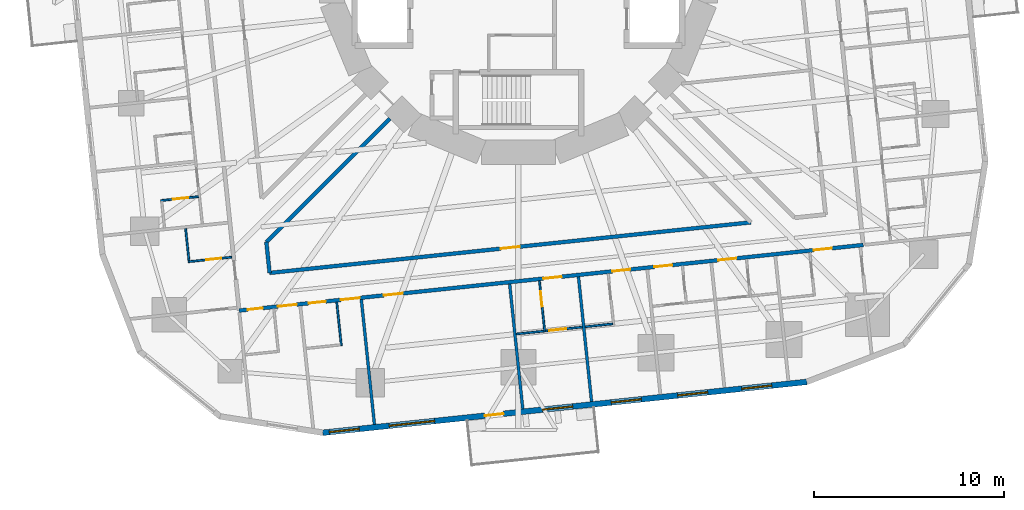
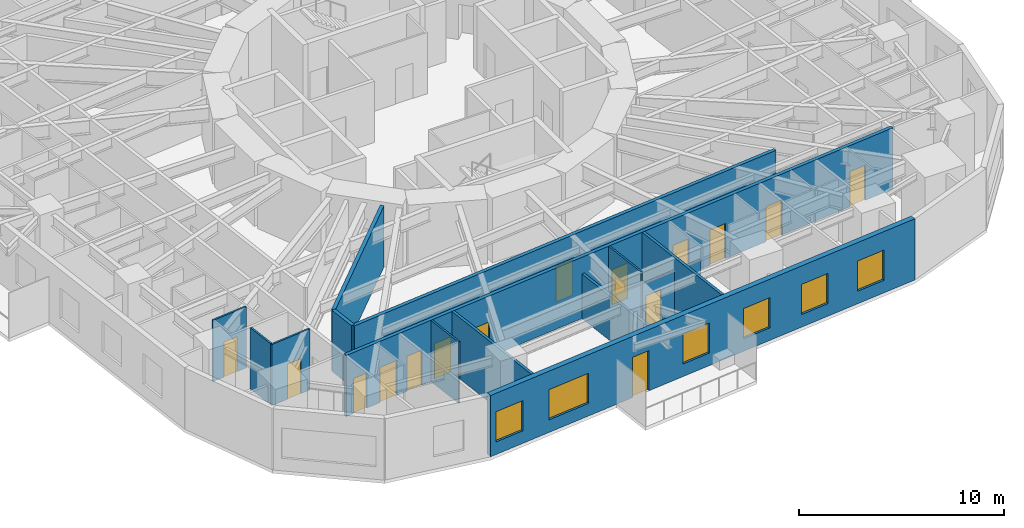
# One storey, part 5 of 15: 16 doors, 16 walls, 6 windows, 22 openings.
"""IFC4 building model written with IfcOpenShell, lengths in metres."""

from ifc_helpers import new_model, si_unit, direction, frame, frame_2d, origin, place, context, subcontext, project, spatial, rectangle, extrude, material, layer, layer_set, type_object, element, fill, save


model = new_model("IFC4")

# Units and contexts
model_context = context("Model", 3, precision=1e-05, world=origin(), true_north=direction((0.0, 1.0)))
body_context = subcontext(model_context, "Body", "Model", "MODEL_VIEW")
ifc_project = project(units=[si_unit("LENGTHUNIT", "METRE"), si_unit("AREAUNIT", "SQUARE_METRE"), si_unit("VOLUMEUNIT", "CUBIC_METRE"), si_unit("PLANEANGLEUNIT", "RADIAN"), si_unit("MASSUNIT", "GRAM", prefix="KILO")], contexts=[model_context])

# Site, building, storey
site_placement = place(None, origin())
site = spatial("IfcSite", under=ifc_project, at=site_placement, CompositionType="ELEMENT")
building_placement = place(site_placement, origin())
building = spatial("IfcBuilding", under=site, at=building_placement, Name="Nakasero Lantern House", CompositionType="ELEMENT")
storey_placement = place(building_placement, frame((0.0, 0.0, 64.35009765625)))
storey = spatial("IfcBuildingStorey", under=building, at=storey_placement, Name="L15", CompositionType="ELEMENT", Elevation=64.35009765625)

# Wall, openings, doors
ifc_material_1 = material(Name="Blockwork", Category="masonry")
ifc_layer_1 = layer(ifc_material_1, 0.199951171875)
ifc_layer_set_1 = layer_set([ifc_layer_1], Name="Corridor wall 200")
wall_type_1 = type_object("IfcWallType", Name="Corridor wall 200", PredefinedType="PARTITIONING", material=ifc_layer_set_1)
wall_1_placement = place(storey_placement, frame((-14.684814453125, -18.13427734375, 0.0), z_axis=(0.0, 0.0, 1.0), x_axis=(0.994521777723, 0.10452958258, 0.0)))
wall_1 = element("IfcWall", 1, at=wall_1_placement, inside=storey, type_object=wall_type_1, Name="Corridor wall L15 CW3", PredefinedType="PARTITIONING", context=body_context, shape_type="SweptSolid", body=[
    extrude(rectangle(XDim=32.999755859375, YDim=0.199951171875, at=frame_2d((16.5, 0.0))), origin(), (0.0, 0.0, 1.0), 3.64990234375),
])
opening_1_placement = place(wall_1_placement, frame((0.449951171875, 0.0, 0.0)))
opening_1 = element("IfcOpeningElement", 2, at=opening_1_placement, cuts=wall_1, Name="Opening D15", PredefinedType="OPENING", context=body_context, shape_type="SweptSolid", body=[
    extrude(rectangle(XDim=0.800048828125, YDim=2.10009765625, at=frame_2d((0.39990234375, 1.050048828125))), frame((0.0, 0.119873046875, 0.0), z_axis=(0.0, -1.0, 0.0), x_axis=(1.0, 0.0, 0.0)), (0.0, 0.0, 1.0), 0.239990234375),
])
opening_2_placement = place(wall_1_placement, frame((2.050048828125, 0.0, 0.0)))
opening_2 = element("IfcOpeningElement", 3, at=opening_2_placement, cuts=wall_1, Name="Opening D07", PredefinedType="OPENING", context=body_context, shape_type="SweptSolid", body=[
    extrude(rectangle(XDim=1.0, YDim=2.10009765625, at=frame_2d((0.5, 1.050048828125))), frame((0.0, 0.119873046875, 0.0), z_axis=(0.0, -1.0, 0.0), x_axis=(1.0, 0.0, 0.0)), (0.0, 0.0, 1.0), 0.239990234375),
])
opening_3_placement = place(wall_1_placement, frame((3.67529296875, 0.0, 0.0)))
opening_3 = element("IfcOpeningElement", 4, at=opening_3_placement, cuts=wall_1, Name="Opening D16", PredefinedType="OPENING", context=body_context, shape_type="SweptSolid", body=[
    extrude(rectangle(XDim=0.89990234375, YDim=2.10009765625, at=frame_2d((0.449951171875, 1.050048828125))), frame((0.0, 0.119873046875, 0.0), z_axis=(0.0, -1.0, 0.0), x_axis=(1.0, 0.0, 0.0)), (0.0, 0.0, 1.0), 0.239990234375),
])
opening_4_placement = place(wall_1_placement, frame((5.375244140625, 0.0, 0.0)))
opening_4 = element("IfcOpeningElement", 5, at=opening_4_placement, cuts=wall_1, Name="Opening D07", PredefinedType="OPENING", context=body_context, shape_type="SweptSolid", body=[
    extrude(rectangle(XDim=1.0, YDim=2.10009765625, at=frame_2d((0.5, 1.050048828125))), frame((0.0, 0.119873046875, 0.0), z_axis=(0.0, -1.0, 0.0), x_axis=(1.0, 0.0, 0.0)), (0.0, 0.0, 1.0), 0.239990234375),
])
opening_5_placement = place(wall_1_placement, frame((16.0927734375, 0.0, 0.0)))
opening_5 = element("IfcOpeningElement", 6, at=opening_5_placement, cuts=wall_1, Name="Opening D01", PredefinedType="OPENING", context=body_context, shape_type="SweptSolid", body=[
    extrude(rectangle(XDim=0.949951171875, YDim=2.10009765625, at=frame_2d((0.47509765625, 1.050048828125))), frame((0.0, 0.119873046875, 0.0), z_axis=(0.0, -1.0, 0.0), x_axis=(1.0, 0.0, 0.0)), (0.0, 0.0, 1.0), 0.239990234375),
])
opening_6_placement = place(wall_1_placement, frame((19.7314453125, 0.0, 0.0)))
opening_6 = element("IfcOpeningElement", 7, at=opening_6_placement, cuts=wall_1, Name="Opening D01", PredefinedType="OPENING", context=body_context, shape_type="SweptSolid", body=[
    extrude(rectangle(XDim=0.949951171875, YDim=2.10009765625, at=frame_2d((0.47509765625, 1.050048828125))), frame((0.0, 0.119873046875, 0.0), z_axis=(0.0, -1.0, 0.0), x_axis=(1.0, 0.0, 0.0)), (0.0, 0.0, 1.0), 0.239990234375),
])
opening_7_placement = place(wall_1_placement, frame((21.945068359375, 0.0, 0.0)))
opening_7 = element("IfcOpeningElement", 8, at=opening_7_placement, cuts=wall_1, Name="Opening D01", PredefinedType="OPENING", context=body_context, shape_type="SweptSolid", body=[
    extrude(rectangle(XDim=0.949951171875, YDim=2.10009765625, at=frame_2d((0.47509765625, 1.050048828125))), frame((0.0, 0.119873046875, 0.0), z_axis=(0.0, -1.0, 0.0), x_axis=(1.0, 0.0, 0.0)), (0.0, 0.0, 1.0), 0.239990234375),
])
opening_8_placement = place(wall_1_placement, frame((25.33056640625, 0.0, 0.0)))
opening_8 = element("IfcOpeningElement", 9, at=opening_8_placement, cuts=wall_1, Name="Opening D01", PredefinedType="OPENING", context=body_context, shape_type="SweptSolid", body=[
    extrude(rectangle(XDim=0.949951171875, YDim=2.10009765625, at=frame_2d((0.47509765625, 1.050048828125))), frame((0.0, 0.119873046875, 0.0), z_axis=(0.0, -1.0, 0.0), x_axis=(1.0, 0.0, 0.0)), (0.0, 0.0, 1.0), 0.239990234375),
])
opening_9_placement = place(wall_1_placement, frame((30.39111328125, 0.0, 0.0)))
opening_9 = element("IfcOpeningElement", 10, at=opening_9_placement, cuts=wall_1, Name="Opening D01", PredefinedType="OPENING", context=body_context, shape_type="SweptSolid", body=[
    extrude(rectangle(XDim=0.949951171875, YDim=2.10009765625, at=frame_2d((0.47509765625, 1.050048828125))), frame((0.0, 0.119873046875, 0.0), z_axis=(0.0, -1.0, 0.0), x_axis=(1.0, 0.0, 0.0)), (0.0, 0.0, 1.0), 0.239990234375),
])
opening_10_placement = place(wall_1_placement, frame((7.650634765625, 0.0, 0.0)))
opening_10 = element("IfcOpeningElement", 11, at=opening_10_placement, cuts=wall_1, Name="Opening D03", PredefinedType="OPENING", context=body_context, shape_type="SweptSolid", body=[
    extrude(rectangle(XDim=1.0, YDim=2.10009765625, at=frame_2d((0.5, 1.050048828125))), frame((0.0, 0.119873046875, 0.0), z_axis=(0.0, -1.0, 0.0), x_axis=(1.0, 0.0, 0.0)), (0.0, 0.0, 1.0), 0.239990234375),
])
ifc_material_2 = material(Name="Timber C24", Category="wood")
door_type_1 = type_object("IfcDoorType", Name="Accessible WC door 900", OperationType="SINGLE_SWING_RIGHT", PredefinedType="DOOR", material=ifc_material_2)
door_1_placement = place(opening_3_placement, origin())
door_1 = element("IfcDoor", 12, at=door_1_placement, inside=storey, type_object=door_type_1, Name="Door L15 DS3-01", OperationType="SINGLE_SWING_LEFT", OverallHeight=2.10009765625, OverallWidth=0.89990234375, PredefinedType="DOOR", context=body_context, shape_type="SweptSolid", body=[
    extrude(rectangle(XDim=0.89990234375, YDim=2.10009765625, at=frame_2d((0.449951171875, 1.050048828125))), frame((0.0, 0.02490234375, 0.0), z_axis=(0.0, -1.0, 0.0), x_axis=(1.0, 0.0, 0.0)), (0.0, 0.0, 1.0), 0.050048828125),
])
fill(opening_3, door_1)
ifc_material_3 = material(Name="Timber C24", Category="wood")
door_type_2 = type_object("IfcDoorType", Name="Bedroom door FD30S 950", OperationType="SINGLE_SWING_LEFT", PredefinedType="DOOR", material=ifc_material_3)
door_2_placement = place(opening_5_placement, origin())
door_2 = element("IfcDoor", 13, at=door_2_placement, inside=storey, type_object=door_type_2, Name="Door L15 D3-04", OperationType="SINGLE_SWING_RIGHT", OverallHeight=2.10009765625, OverallWidth=0.949951171875, PredefinedType="DOOR", context=body_context, shape_type="SweptSolid", body=[
    extrude(rectangle(XDim=0.949951171875, YDim=2.10009765625, at=frame_2d((0.47509765625, 1.050048828125))), frame((0.0, 0.02490234375, 0.0), z_axis=(0.0, -1.0, 0.0), x_axis=(1.0, 0.0, 0.0)), (0.0, 0.0, 1.0), 0.050048828125),
])
fill(opening_5, door_2)
door_3_placement = place(opening_6_placement, origin())
door_3 = element("IfcDoor", 14, at=door_3_placement, inside=storey, type_object=door_type_2, Name="Door L15 D3-05", OperationType="SINGLE_SWING_RIGHT", OverallHeight=2.10009765625, OverallWidth=0.949951171875, PredefinedType="DOOR", context=body_context, shape_type="SweptSolid", body=[
    extrude(rectangle(XDim=0.949951171875, YDim=2.10009765625, at=frame_2d((0.47509765625, 1.050048828125))), frame((0.0, 0.02490234375, 0.0), z_axis=(0.0, -1.0, 0.0), x_axis=(1.0, 0.0, 0.0)), (0.0, 0.0, 1.0), 0.050048828125),
])
fill(opening_6, door_3)
door_4_placement = place(opening_7_placement, origin())
door_4 = element("IfcDoor", 15, at=door_4_placement, inside=storey, type_object=door_type_2, Name="Door L15 D3-06", OperationType="SINGLE_SWING_RIGHT", OverallHeight=2.10009765625, OverallWidth=0.949951171875, PredefinedType="DOOR", context=body_context, shape_type="SweptSolid", body=[
    extrude(rectangle(XDim=0.949951171875, YDim=2.10009765625, at=frame_2d((0.47509765625, 1.050048828125))), frame((0.0, 0.02490234375, 0.0), z_axis=(0.0, -1.0, 0.0), x_axis=(1.0, 0.0, 0.0)), (0.0, 0.0, 1.0), 0.050048828125),
])
fill(opening_7, door_4)
door_5_placement = place(opening_8_placement, origin())
door_5 = element("IfcDoor", 16, at=door_5_placement, inside=storey, type_object=door_type_2, Name="Door L15 D3-07", OperationType="SINGLE_SWING_RIGHT", OverallHeight=2.10009765625, OverallWidth=0.949951171875, PredefinedType="DOOR", context=body_context, shape_type="SweptSolid", body=[
    extrude(rectangle(XDim=0.949951171875, YDim=2.10009765625, at=frame_2d((0.47509765625, 1.050048828125))), frame((0.0, 0.02490234375, 0.0), z_axis=(0.0, -1.0, 0.0), x_axis=(1.0, 0.0, 0.0)), (0.0, 0.0, 1.0), 0.050048828125),
])
fill(opening_8, door_5)
door_6_placement = place(opening_9_placement, origin())
door_6 = element("IfcDoor", 17, at=door_6_placement, inside=storey, type_object=door_type_2, Name="Door L15 D3-08", OperationType="SINGLE_SWING_RIGHT", OverallHeight=2.10009765625, OverallWidth=0.949951171875, PredefinedType="DOOR", context=body_context, shape_type="SweptSolid", body=[
    extrude(rectangle(XDim=0.949951171875, YDim=2.10009765625, at=frame_2d((0.47509765625, 1.050048828125))), frame((0.0, 0.02490234375, 0.0), z_axis=(0.0, -1.0, 0.0), x_axis=(1.0, 0.0, 0.0)), (0.0, 0.0, 1.0), 0.050048828125),
])
fill(opening_9, door_6)
ifc_material_4 = material(Name="Timber C24", Category="wood")
door_type_3 = type_object("IfcDoorType", Name="Cleaner's store door FD30S 800", OperationType="SINGLE_SWING_LEFT", PredefinedType="DOOR", material=ifc_material_4)
door_7_placement = place(opening_1_placement, origin())
door_7 = element("IfcDoor", 18, at=door_7_placement, inside=storey, type_object=door_type_3, Name="Door L15 DS3-00", OperationType="SINGLE_SWING_LEFT", OverallHeight=2.10009765625, OverallWidth=0.800048828125, PredefinedType="DOOR", context=body_context, shape_type="SweptSolid", body=[
    extrude(rectangle(XDim=0.800048828125, YDim=2.10009765625, at=frame_2d((0.39990234375, 1.050048828125))), frame((0.0, 0.02490234375, 0.0), z_axis=(0.0, -1.0, 0.0), x_axis=(1.0, 0.0, 0.0)), (0.0, 0.0, 1.0), 0.050048828125),
])
fill(opening_1, door_7)
ifc_material_5 = material(Name="Timber C24", Category="wood")
door_type_4 = type_object("IfcDoorType", Name="Lounge door FD30S 1000", OperationType="SINGLE_SWING_LEFT", PredefinedType="DOOR", material=ifc_material_5)
door_8_placement = place(opening_10_placement, origin())
door_8 = element("IfcDoor", 19, at=door_8_placement, inside=storey, type_object=door_type_4, Name="Door L15 DK3", OperationType="SINGLE_SWING_LEFT", OverallHeight=2.10009765625, OverallWidth=1.0, PredefinedType="DOOR", context=body_context, shape_type="SweptSolid", body=[
    extrude(rectangle(XDim=1.0, YDim=2.10009765625, at=frame_2d((0.5, 1.050048828125))), frame((0.0, 0.02490234375, 0.0), z_axis=(0.0, -1.0, 0.0), x_axis=(1.0, 0.0, 0.0)), (0.0, 0.0, 1.0), 0.050048828125),
])
fill(opening_10, door_8)
ifc_material_6 = material(Name="Timber C24", Category="wood")
door_type_5 = type_object("IfcDoorType", Name="Room door FD30S 1000", OperationType="SINGLE_SWING_LEFT", PredefinedType="DOOR", material=ifc_material_6)
door_9_placement = place(opening_2_placement, origin())
door_9 = element("IfcDoor", 20, at=door_9_placement, inside=storey, type_object=door_type_5, Name="Door L15 D3-00", OperationType="SINGLE_SWING_LEFT", OverallHeight=2.10009765625, OverallWidth=1.0, PredefinedType="DOOR", context=body_context, shape_type="SweptSolid", body=[
    extrude(rectangle(XDim=1.0, YDim=2.10009765625, at=frame_2d((0.5, 1.050048828125))), frame((0.0, 0.02490234375, 0.0), z_axis=(0.0, -1.0, 0.0), x_axis=(1.0, 0.0, 0.0)), (0.0, 0.0, 1.0), 0.050048828125),
])
fill(opening_2, door_9)
door_10_placement = place(opening_4_placement, origin())
door_10 = element("IfcDoor", 21, at=door_10_placement, inside=storey, type_object=door_type_5, Name="Door L15 D3-01", OperationType="SINGLE_SWING_LEFT", OverallHeight=2.10009765625, OverallWidth=1.0, PredefinedType="DOOR", context=body_context, shape_type="SweptSolid", body=[
    extrude(rectangle(XDim=1.0, YDim=2.10009765625, at=frame_2d((0.5, 1.050048828125))), frame((0.0, 0.02490234375, 0.0), z_axis=(0.0, -1.0, 0.0), x_axis=(1.0, 0.0, 0.0)), (0.0, 0.0, 1.0), 0.050048828125),
])
fill(opening_4, door_10)

# Wall
wall_2_placement = place(storey_placement, frame((-13.254150390625, -14.52685546875, 0.0), z_axis=(0.0, 0.0, 1.0), x_axis=(0.104475313001, -0.99452748025, 0.0)))
element("IfcWall", 22, at=wall_2_placement, inside=storey, type_object=wall_type_1, Name="Corridor wall L15 IW2-1", PredefinedType="PARTITIONING", context=body_context, shape_type="SweptSolid", body=[
    extrude(rectangle(XDim=1.63818359375, YDim=0.199951171875, at=frame_2d((0.819091796875, 0.0))), origin(), (0.0, 0.0, 1.0), 3.64990234375),
])

# Wall, opening, door
wall_3_placement = place(storey_placement, frame((-13.0830078125, -16.156005859375, 0.0), z_axis=(0.0, 0.0, 1.0), x_axis=(0.994522473358, 0.104522963916, 0.0)))
wall_3 = element("IfcWall", 23, at=wall_3_placement, inside=storey, type_object=wall_type_1, Name="Corridor wall L15 IW3-0", PredefinedType="PARTITIONING", context=body_context, shape_type="SweptSolid", body=[
    extrude(rectangle(XDim=25.44580078125, YDim=0.199951171875, at=frame_2d((12.722900390625, 0.0))), origin(), (0.0, 0.0, 1.0), 3.64990234375),
])
opening_11_placement = place(wall_3_placement, frame((12.222900390625, 0.0, 0.0)))
opening_11 = element("IfcOpeningElement", 24, at=opening_11_placement, cuts=wall_3, Name="Opening D07", PredefinedType="OPENING", context=body_context, shape_type="SweptSolid", body=[
    extrude(rectangle(XDim=1.0, YDim=2.10009765625, at=frame_2d((0.5, 1.050048828125))), frame((0.0, 0.119873046875, 0.0), z_axis=(0.0, -1.0, 0.0), x_axis=(1.0, 0.0, 0.0)), (0.0, 0.0, 1.0), 0.239990234375),
])
door_11_placement = place(opening_11_placement, origin())
door_11 = element("IfcDoor", 25, at=door_11_placement, inside=storey, type_object=door_type_5, Name="Door L15 DI3", OperationType="SINGLE_SWING_RIGHT", OverallHeight=2.10009765625, OverallWidth=1.0, PredefinedType="DOOR", context=body_context, shape_type="SweptSolid", body=[
    extrude(rectangle(XDim=1.0, YDim=2.10009765625, at=frame_2d((0.5, 1.050048828125))), frame((0.0, 0.02490234375, 0.0), z_axis=(0.0, -1.0, 0.0), x_axis=(1.0, 0.0, 0.0)), (0.0, 0.0, 1.0), 0.050048828125),
])
fill(opening_11, door_11)

# Wall
wall_4_placement = place(storey_placement, frame((-6.758544921875, -8.03125, 0.0), z_axis=(0.0, 0.0, 1.0), x_axis=(-0.707106781187, -0.707106781187, 0.0)))
element("IfcWall", 26, at=wall_4_placement, inside=storey, type_object=wall_type_1, Name="Corridor wall L15 PS10a", PredefinedType="PARTITIONING", context=body_context, shape_type="SweptSolid", body=[
    extrude(rectangle(XDim=9.186279296875, YDim=0.199951171875, at=frame_2d((4.59326171875, 0.0))), origin(), (0.0, 0.0, 1.0), 3.64990234375),
])

# Wall, opening, door
ifc_material_7 = material(Name="Blockwork", Category="masonry")
ifc_layer_2 = layer(ifc_material_7, 0.10009765625)
ifc_layer_set_2 = layer_set([ifc_layer_2], Name="En-suite wall 100")
wall_type_2 = type_object("IfcWallType", Name="En-suite wall 100", PredefinedType="PARTITIONING", material=ifc_layer_set_2)
wall_5_placement = place(storey_placement, frame((-16.822998046875, -12.14111328125, 0.0), z_axis=(0.0, 0.0, 1.0), x_axis=(-0.99452550138, -0.104494148666, 0.0)))
wall_5 = element("IfcWall", 27, at=wall_5_placement, inside=storey, type_object=wall_type_2, Name="En-suite wall L15 ES2-07", PredefinedType="PARTITIONING", context=body_context, shape_type="SweptSolid", body=[
    extrude(rectangle(XDim=2.0, YDim=0.10009765625, at=frame_2d((1.0, 0.0))), origin(), (0.0, 0.0, 1.0), 3.64990234375),
])
opening_12_placement = place(wall_5_placement, frame((0.550048828125, 0.0, 0.0)))
opening_12 = element("IfcOpeningElement", 28, at=opening_12_placement, cuts=wall_5, Name="Opening D02", PredefinedType="OPENING", context=body_context, shape_type="SweptSolid", body=[
    extrude(rectangle(XDim=0.800048828125, YDim=2.10009765625, at=frame_2d((0.39990234375, 1.050048828125))), frame((0.0, 0.070068359375, 0.0), z_axis=(0.0, -1.0, 0.0), x_axis=(1.0, 0.0, 0.0)), (0.0, 0.0, 1.0), 0.14013671875),
])
ifc_material_8 = material(Name="Timber C24", Category="wood")
door_type_6 = type_object("IfcDoorType", Name="En-suite door 800", OperationType="SINGLE_SWING_RIGHT", PredefinedType="DOOR", material=ifc_material_8)
door_12_placement = place(opening_12_placement, origin())
door_12 = element("IfcDoor", 29, at=door_12_placement, inside=storey, type_object=door_type_6, Name="Door L15 DE2-07", OperationType="SINGLE_SWING_LEFT", OverallHeight=2.10009765625, OverallWidth=0.800048828125, PredefinedType="DOOR", context=body_context, shape_type="SweptSolid", body=[
    extrude(rectangle(XDim=0.800048828125, YDim=2.10009765625, at=frame_2d((0.39990234375, 1.050048828125))), frame((0.0, 0.02490234375, 0.0), z_axis=(0.0, -1.0, 0.0), x_axis=(1.0, 0.0, 0.0)), (0.0, 0.0, 1.0), 0.050048828125),
])
fill(opening_12, door_12)

wall_6_placement = place(storey_placement, frame((-15.08056640625, -15.326416015625, 0.0), z_axis=(0.0, 0.0, 1.0), x_axis=(-0.994518822602, -0.104557694553, 0.0)))
wall_6 = element("IfcWall", 30, at=wall_6_placement, inside=storey, type_object=wall_type_2, Name="En-suite wall L15 ES2-08", PredefinedType="PARTITIONING", context=body_context, shape_type="SweptSolid", body=[
    extrude(rectangle(XDim=2.300048828125, YDim=0.10009765625, at=frame_2d((1.14990234375, 0.0))), origin(), (0.0, 0.0, 1.0), 3.64990234375),
])
opening_13_placement = place(wall_6_placement, frame((0.550048828125, 0.0, 0.0)))
opening_13 = element("IfcOpeningElement", 31, at=opening_13_placement, cuts=wall_6, Name="Opening D02", PredefinedType="OPENING", context=body_context, shape_type="SweptSolid", body=[
    extrude(rectangle(XDim=0.800048828125, YDim=2.10009765625, at=frame_2d((0.39990234375, 1.050048828125))), frame((0.0, 0.070068359375, 0.0), z_axis=(0.0, -1.0, 0.0), x_axis=(1.0, 0.0, 0.0)), (0.0, 0.0, 1.0), 0.14013671875),
])
door_13_placement = place(opening_13_placement, origin())
door_13 = element("IfcDoor", 32, at=door_13_placement, inside=storey, type_object=door_type_6, Name="Door L15 DE2-08", OperationType="SINGLE_SWING_LEFT", OverallHeight=2.10009765625, OverallWidth=0.800048828125, PredefinedType="DOOR", context=body_context, shape_type="SweptSolid", body=[
    extrude(rectangle(XDim=0.800048828125, YDim=2.10009765625, at=frame_2d((0.39990234375, 1.050048828125))), frame((0.0, 0.02490234375, 0.0), z_axis=(0.0, -1.0, 0.0), x_axis=(1.0, 0.0, 0.0)), (0.0, 0.0, 1.0), 0.050048828125),
])
fill(opening_13, door_13)

# Walls
wall_7_placement = place(storey_placement, frame((-17.501220703125, -13.8212890625, 0.0), z_axis=(0.0, 0.0, 1.0), x_axis=(0.104550220202, -0.994519608382, 0.0)))
element("IfcWall", 33, at=wall_7_placement, inside=storey, type_object=wall_type_2, Name="En-suite wall L15 EE2-08", PredefinedType="PARTITIONING", context=body_context, shape_type="SweptSolid", body=[
    extrude(rectangle(XDim=1.699951171875, YDim=0.10009765625, at=frame_2d((0.85009765625, 0.0))), origin(), (0.0, 0.0, 1.0), 3.64990234375),
])
wall_8_placement = place(storey_placement, frame((-9.55224609375, -17.6953125, 0.0), z_axis=(0.0, 0.0, 1.0), x_axis=(0.104441677364, -0.994531013106, 0.0)))
element("IfcWall", 34, at=wall_8_placement, inside=storey, type_object=wall_type_2, Name="En-suite wall L15 ES3-01", PredefinedType="PARTITIONING", context=body_context, shape_type="SweptSolid", body=[
    extrude(rectangle(XDim=2.30029296875, YDim=0.10009765625, at=frame_2d((1.150146484375, 0.0))), origin(), (0.0, 0.0, 1.0), 3.64990234375),
])

# Wall, opening, door
wall_9_placement = place(storey_placement, frame((1.1064453125, -16.5751953125, 0.0), z_axis=(0.0, 0.0, 1.0), x_axis=(0.104534153452, -0.994521297289, 0.0)))
wall_9 = element("IfcWall", 35, at=wall_9_placement, inside=storey, type_object=wall_type_2, Name="En-suite wall L15 ES3-04", PredefinedType="PARTITIONING", context=body_context, shape_type="SweptSolid", body=[
    extrude(rectangle(XDim=2.699951171875, YDim=0.10009765625, at=frame_2d((1.35009765625, 0.0))), origin(), (0.0, 0.0, 1.0), 3.64990234375),
])
opening_14_placement = place(wall_9_placement, frame((0.550048828125, 0.0, 0.0)))
opening_14 = element("IfcOpeningElement", 36, at=opening_14_placement, cuts=wall_9, Name="Opening D02", PredefinedType="OPENING", context=body_context, shape_type="SweptSolid", body=[
    extrude(rectangle(XDim=0.800048828125, YDim=2.10009765625, at=frame_2d((0.39990234375, 1.050048828125))), frame((0.0, 0.070068359375, 0.0), z_axis=(0.0, -1.0, 0.0), x_axis=(1.0, 0.0, 0.0)), (0.0, 0.0, 1.0), 0.14013671875),
])
door_14_placement = place(opening_14_placement, origin())
door_14 = element("IfcDoor", 37, at=door_14_placement, inside=storey, type_object=door_type_6, Name="Door L15 DE3-04", OperationType="SINGLE_SWING_LEFT", OverallHeight=2.10009765625, OverallWidth=0.800048828125, PredefinedType="DOOR", context=body_context, shape_type="SweptSolid", body=[
    extrude(rectangle(XDim=0.800048828125, YDim=2.10009765625, at=frame_2d((0.39990234375, 1.050048828125))), frame((0.0, 0.02490234375, 0.0), z_axis=(0.0, -1.0, 0.0), x_axis=(1.0, 0.0, 0.0)), (0.0, 0.0, 1.0), 0.050048828125),
])
fill(opening_14, door_14)

# Walls
for number, where, z_axis, x_axis, name in (
    (38, (-0.1083984375, -19.367431640625, 0.0), (0.0, 0.0, 1.0), (0.994519282274, 0.10455332221, 0.0), "En-suite wall L15 EE3-04"),
    (39, (3.51025390625, -18.987060546875, 0.0), (0.0, 0.0, 1.0), (0.994519282274, 0.10455332221, 0.0), "En-suite wall L15 EE3-05"),
):
    element("IfcWall", number, at=place(storey_placement, frame(where, z_axis=z_axis, x_axis=x_axis)), inside=storey, type_object=wall_type_2, Name=name, PredefinedType="PARTITIONING", context=body_context, shape_type="SweptSolid", body=[
        extrude(rectangle(XDim=1.4501953125, YDim=0.10009765625, at=frame_2d((0.72509765625, 0.0))), origin(), (0.0, 0.0, 1.0), 2.8876953125),
    ])

# Wall, opening, door
wall_10_placement = place(storey_placement, frame((1.43310546875, -19.205322265625, 0.0), z_axis=(0.0, 0.0, 1.0), x_axis=(0.994522002013, 0.10452744861, 0.0)))
wall_10 = element("IfcWall", 40, at=wall_10_placement, inside=storey, type_object=wall_type_2, Name="En-suite wall L15 EL3-04", PredefinedType="PARTITIONING", context=body_context, shape_type="SweptSolid", body=[
    extrude(rectangle(XDim=1.9384765625, YDim=0.10009765625, at=frame_2d((0.96923828125, 0.0))), origin(), (0.0, 0.0, 1.0), 2.8876953125),
])
opening_15_placement = place(wall_10_placement, frame((0.199951171875, 0.0, 0.0)))
opening_15 = element("IfcOpeningElement", 41, at=opening_15_placement, cuts=wall_10, Name="Opening D17", PredefinedType="OPENING", context=body_context, shape_type="SweptSolid", body=[
    extrude(rectangle(XDim=0.89990234375, YDim=2.10009765625, at=frame_2d((0.449951171875, 1.050048828125))), frame((0.0, 0.070068359375, 0.0), z_axis=(0.0, -1.0, 0.0), x_axis=(1.0, 0.0, 0.0)), (0.0, 0.0, 1.0), 0.14013671875),
])
ifc_material_9 = material(Name="Timber C24", Category="wood")
door_type_7 = type_object("IfcDoorType", Name="Bedroom door FD30S 900", OperationType="SINGLE_SWING_LEFT", PredefinedType="DOOR", material=ifc_material_9)
door_15_placement = place(opening_15_placement, origin())
door_15 = element("IfcDoor", 42, at=door_15_placement, inside=storey, type_object=door_type_7, Name="Door L15 DL3-04", OperationType="SINGLE_SWING_LEFT", OverallHeight=2.10009765625, OverallWidth=0.89990234375, PredefinedType="DOOR", context=body_context, shape_type="SweptSolid", body=[
    extrude(rectangle(XDim=0.89990234375, YDim=2.10009765625, at=frame_2d((0.449951171875, 1.050048828125))), frame((0.0, 0.02490234375, 0.0), z_axis=(0.0, -1.0, 0.0), x_axis=(1.0, 0.0, 0.0)), (0.0, 0.0, 1.0), 0.050048828125),
])
fill(opening_15, door_15)

# Wall, openings, door, windows
ifc_material_10 = material(Name="Aluminium rainscreen on blockwork", Category="masonry")
ifc_layer_3 = layer(ifc_material_10, 0.300048828125)
ifc_layer_set_3 = layer_set([ifc_layer_3], Name="Facade wall 300")
wall_type_3 = type_object("IfcWallType", Name="Facade wall 300", PredefinedType="SOLIDWALL", material=ifc_layer_set_3)
wall_11_placement = place(storey_placement, frame((-10.2890625, -24.56005859375, 0.0), z_axis=(0.0, 0.0, 1.0), x_axis=(0.994521483895, 0.104532378096, 0.0)))
wall_11 = element("IfcWall", 43, at=wall_11_placement, inside=storey, type_object=wall_type_3, Name="Facade wall L15 FW3S", PredefinedType="SOLIDWALL", context=body_context, shape_type="SweptSolid", body=[
    extrude(rectangle(XDim=25.599853515625, YDim=0.300048828125, at=frame_2d((12.7998046875, 0.0))), origin(), (0.0, 0.0, 1.0), 3.64990234375),
])
opening_16_placement = place(wall_11_placement, frame((0.337890625, 0.0, 0.75)))
opening_16 = element("IfcOpeningElement", 44, at=opening_16_placement, cuts=wall_11, Name="Opening W01", PredefinedType="OPENING", context=body_context, shape_type="SweptSolid", body=[
    extrude(rectangle(XDim=1.60009765625, YDim=1.800048828125, at=frame_2d((0.800048828125, 0.89990234375))), frame((0.0, 0.169921875, 0.0), z_axis=(0.0, -1.0, 0.0), x_axis=(1.0, 0.0, 0.0)), (0.0, 0.0, 1.0), 0.340087890625),
])
opening_17_placement = place(wall_11_placement, frame((11.612060546875, 0.0, 0.75)))
opening_17 = element("IfcOpeningElement", 45, at=opening_17_placement, cuts=wall_11, Name="Opening W01", PredefinedType="OPENING", context=body_context, shape_type="SweptSolid", body=[
    extrude(rectangle(XDim=1.60009765625, YDim=1.800048828125, at=frame_2d((0.800048828125, 0.89990234375))), frame((0.0, 0.169921875, 0.0), z_axis=(0.0, -1.0, 0.0), x_axis=(1.0, 0.0, 0.0)), (0.0, 0.0, 1.0), 0.340087890625),
])
opening_18_placement = place(wall_11_placement, frame((15.250732421875, 0.0, 0.75)))
opening_18 = element("IfcOpeningElement", 46, at=opening_18_placement, cuts=wall_11, Name="Opening W01", PredefinedType="OPENING", context=body_context, shape_type="SweptSolid", body=[
    extrude(rectangle(XDim=1.60009765625, YDim=1.800048828125, at=frame_2d((0.800048828125, 0.89990234375))), frame((0.0, 0.169921875, 0.0), z_axis=(0.0, -1.0, 0.0), x_axis=(1.0, 0.0, 0.0)), (0.0, 0.0, 1.0), 0.340087890625),
])
opening_19_placement = place(wall_11_placement, frame((18.7626953125, 0.0, 0.75)))
opening_19 = element("IfcOpeningElement", 47, at=opening_19_placement, cuts=wall_11, Name="Opening W01", PredefinedType="OPENING", context=body_context, shape_type="SweptSolid", body=[
    extrude(rectangle(XDim=1.60009765625, YDim=1.800048828125, at=frame_2d((0.800048828125, 0.89990234375))), frame((0.0, 0.169921875, 0.0), z_axis=(0.0, -1.0, 0.0), x_axis=(1.0, 0.0, 0.0)), (0.0, 0.0, 1.0), 0.340087890625),
])
opening_20_placement = place(wall_11_placement, frame((22.1484375, 0.0, 0.75)))
opening_20 = element("IfcOpeningElement", 48, at=opening_20_placement, cuts=wall_11, Name="Opening W01", PredefinedType="OPENING", context=body_context, shape_type="SweptSolid", body=[
    extrude(rectangle(XDim=1.60009765625, YDim=1.800048828125, at=frame_2d((0.800048828125, 0.89990234375))), frame((0.0, 0.169921875, 0.0), z_axis=(0.0, -1.0, 0.0), x_axis=(1.0, 0.0, 0.0)), (0.0, 0.0, 1.0), 0.340087890625),
])
opening_21_placement = place(wall_11_placement, frame((3.51123046875, 0.0, 0.75)))
opening_21 = element("IfcOpeningElement", 49, at=opening_21_placement, cuts=wall_11, Name="Opening W03", PredefinedType="OPENING", context=body_context, shape_type="SweptSolid", body=[
    extrude(rectangle(XDim=2.39990234375, YDim=1.800048828125, at=frame_2d((1.199951171875, 0.89990234375))), frame((0.0, 0.169921875, 0.0), z_axis=(0.0, -1.0, 0.0), x_axis=(1.0, 0.0, 0.0)), (0.0, 0.0, 1.0), 0.340087890625),
])
opening_22_placement = place(wall_11_placement, frame((8.558837890625, 0.0, 0.0)))
opening_22 = element("IfcOpeningElement", 50, at=opening_22_placement, cuts=wall_11, Name="Opening D04", PredefinedType="OPENING", context=body_context, shape_type="SweptSolid", body=[
    extrude(rectangle(XDim=1.0, YDim=2.39990234375, at=frame_2d((0.5, 1.199951171875))), frame((0.0, 0.169921875, 0.0), z_axis=(0.0, -1.0, 0.0), x_axis=(1.0, 0.0, 0.0)), (0.0, 0.0, 1.0), 0.340087890625),
])
ifc_material_11 = material(Name="Aluminium 6063-T6 and glass", Category="aluminium")
door_type_8 = type_object("IfcDoorType", Name="Balcony door 1000x2400", OperationType="SINGLE_SWING_RIGHT", PredefinedType="DOOR", material=ifc_material_11)
door_16_placement = place(opening_22_placement, origin())
door_16 = element("IfcDoor", 51, at=door_16_placement, inside=storey, type_object=door_type_8, Name="Balcony door L15 DB3", OperationType="SINGLE_SWING_RIGHT", OverallHeight=2.39990234375, OverallWidth=1.0, PredefinedType="DOOR", context=body_context, shape_type="SweptSolid", body=[
    extrude(rectangle(XDim=1.0, YDim=2.39990234375, at=frame_2d((0.5, 1.199951171875))), frame((0.0, 0.02490234375, 0.0), z_axis=(0.0, -1.0, 0.0), x_axis=(1.0, 0.0, 0.0)), (0.0, 0.0, 1.0), 0.050048828125),
])
fill(opening_22, door_16)
ifc_material_12 = material(Name="Aluminium 6063-T6 and glass", Category="aluminium")
window_type_1 = type_object("IfcWindowType", Name="Bedroom window 1600x1800", PartitioningType="SINGLE_PANEL", PredefinedType="WINDOW", material=ifc_material_12)
window_1_placement = place(opening_16_placement, origin())
window_1 = element("IfcWindow", 52, at=window_1_placement, inside=storey, type_object=window_type_1, Name="Window L15 WN3-01", OverallHeight=1.800048828125, OverallWidth=1.60009765625, PartitioningType="SINGLE_PANEL", PredefinedType="WINDOW", context=body_context, shape_type="SweptSolid", body=[
    extrude(rectangle(XDim=1.60009765625, YDim=1.800048828125, at=frame_2d((0.800048828125, 0.89990234375))), frame((0.0, 0.030029296875, 0.0), z_axis=(0.0, -1.0, 0.0), x_axis=(1.0, 0.0, 0.0)), (0.0, 0.0, 1.0), 0.06005859375),
])
fill(opening_16, window_1)
window_2_placement = place(opening_17_placement, origin())
window_2 = element("IfcWindow", 53, at=window_2_placement, inside=storey, type_object=window_type_1, Name="Window L15 WN3-04", OverallHeight=1.800048828125, OverallWidth=1.60009765625, PartitioningType="SINGLE_PANEL", PredefinedType="WINDOW", context=body_context, shape_type="SweptSolid", body=[
    extrude(rectangle(XDim=1.60009765625, YDim=1.800048828125, at=frame_2d((0.800048828125, 0.89990234375))), frame((0.0, 0.030029296875, 0.0), z_axis=(0.0, -1.0, 0.0), x_axis=(1.0, 0.0, 0.0)), (0.0, 0.0, 1.0), 0.06005859375),
])
fill(opening_17, window_2)
window_3_placement = place(opening_18_placement, origin())
window_3 = element("IfcWindow", 54, at=window_3_placement, inside=storey, type_object=window_type_1, Name="Window L15 WN3-05", OverallHeight=1.800048828125, OverallWidth=1.60009765625, PartitioningType="SINGLE_PANEL", PredefinedType="WINDOW", context=body_context, shape_type="SweptSolid", body=[
    extrude(rectangle(XDim=1.60009765625, YDim=1.800048828125, at=frame_2d((0.800048828125, 0.89990234375))), frame((0.0, 0.030029296875, 0.0), z_axis=(0.0, -1.0, 0.0), x_axis=(1.0, 0.0, 0.0)), (0.0, 0.0, 1.0), 0.06005859375),
])
fill(opening_18, window_3)
window_4_placement = place(opening_19_placement, origin())
window_4 = element("IfcWindow", 55, at=window_4_placement, inside=storey, type_object=window_type_1, Name="Window L15 WN3-06", OverallHeight=1.800048828125, OverallWidth=1.60009765625, PartitioningType="SINGLE_PANEL", PredefinedType="WINDOW", context=body_context, shape_type="SweptSolid", body=[
    extrude(rectangle(XDim=1.60009765625, YDim=1.800048828125, at=frame_2d((0.800048828125, 0.89990234375))), frame((0.0, 0.030029296875, 0.0), z_axis=(0.0, -1.0, 0.0), x_axis=(1.0, 0.0, 0.0)), (0.0, 0.0, 1.0), 0.06005859375),
])
fill(opening_19, window_4)
window_5_placement = place(opening_20_placement, origin())
window_5 = element("IfcWindow", 56, at=window_5_placement, inside=storey, type_object=window_type_1, Name="Window L15 WN3-07", OverallHeight=1.800048828125, OverallWidth=1.60009765625, PartitioningType="SINGLE_PANEL", PredefinedType="WINDOW", context=body_context, shape_type="SweptSolid", body=[
    extrude(rectangle(XDim=1.60009765625, YDim=1.800048828125, at=frame_2d((0.800048828125, 0.89990234375))), frame((0.0, 0.030029296875, 0.0), z_axis=(0.0, -1.0, 0.0), x_axis=(1.0, 0.0, 0.0)), (0.0, 0.0, 1.0), 0.06005859375),
])
fill(opening_20, window_5)
ifc_material_13 = material(Name="Aluminium 6063-T6 and glass", Category="aluminium")
window_type_2 = type_object("IfcWindowType", Name="Lounge window 2400x1800", PartitioningType="SINGLE_PANEL", PredefinedType="WINDOW", material=ifc_material_13)
window_6_placement = place(opening_21_placement, origin())
window_6 = element("IfcWindow", 57, at=window_6_placement, inside=storey, type_object=window_type_2, Name="Window L15 WK3", OverallHeight=1.800048828125, OverallWidth=2.39990234375, PartitioningType="SINGLE_PANEL", PredefinedType="WINDOW", context=body_context, shape_type="SweptSolid", body=[
    extrude(rectangle(XDim=2.39990234375, YDim=1.800048828125, at=frame_2d((1.199951171875, 0.89990234375))), frame((0.0, 0.030029296875, 0.0), z_axis=(0.0, -1.0, 0.0), x_axis=(1.0, 0.0, 0.0)), (0.0, 0.0, 1.0), 0.06005859375),
])
fill(opening_21, window_6)

# Walls
ifc_material_14 = material(Name="Blockwork", Category="masonry")
ifc_layer_4 = layer(ifc_material_14, 0.14990234375)
ifc_layer_set_4 = layer_set([ifc_layer_4], Name="Party wall 150")
wall_type_4 = type_object("IfcWallType", Name="Party wall 150", PredefinedType="PARTITIONING", material=ifc_layer_set_4)
wall_12_placement = place(storey_placement, frame((-8.25927734375, -17.5595703125, 0.0), z_axis=(0.0, 0.0, 1.0), x_axis=(0.104538438287, -0.994520846901, 0.0)))
element("IfcWall", 58, at=wall_12_placement, inside=storey, type_object=wall_type_4, Name="Party wall L15 PW3-02", PredefinedType="PARTITIONING", context=body_context, shape_type="SweptSolid", body=[
    extrude(rectangle(XDim=6.599853515625, YDim=0.14990234375, at=frame_2d((3.2998046875, 0.0))), origin(), (0.0, 0.0, 1.0), 3.64990234375),
])
wall_13_placement = place(storey_placement, frame((-0.4599609375, -16.73974609375, 0.0), z_axis=(0.0, 0.0, 1.0), x_axis=(0.104534592565, -0.994521251134, 0.0)))
element("IfcWall", 59, at=wall_13_placement, inside=storey, type_object=wall_type_4, Name="Party wall L15 PW3-04", PredefinedType="PARTITIONING", context=body_context, shape_type="SweptSolid", body=[
    extrude(rectangle(XDim=6.60009765625, YDim=0.14990234375, at=frame_2d((3.300048828125, 0.0))), origin(), (0.0, 0.0, 1.0), 2.659912109375),
])
wall_14_placement = place(storey_placement, frame((3.15869140625, -16.359375, 0.0), z_axis=(0.0, 0.0, 1.0), x_axis=(0.104534592565, -0.994521251134, 0.0)))
element("IfcWall", 60, at=wall_14_placement, inside=storey, type_object=wall_type_4, Name="Party wall L15 PW3-05", PredefinedType="PARTITIONING", context=body_context, shape_type="SweptSolid", body=[
    extrude(rectangle(XDim=6.60009765625, YDim=0.14990234375, at=frame_2d((3.300048828125, 0.0))), origin(), (0.0, 0.0, 1.0), 3.64990234375),
])

save(model, "model.ifc")
